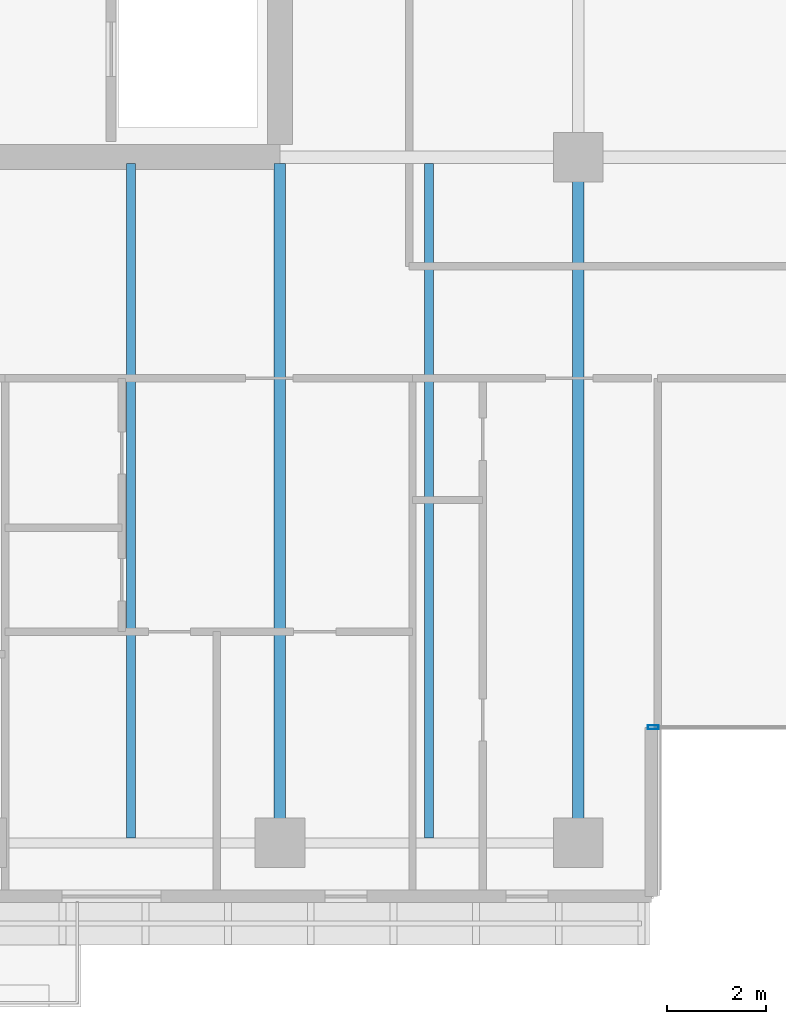
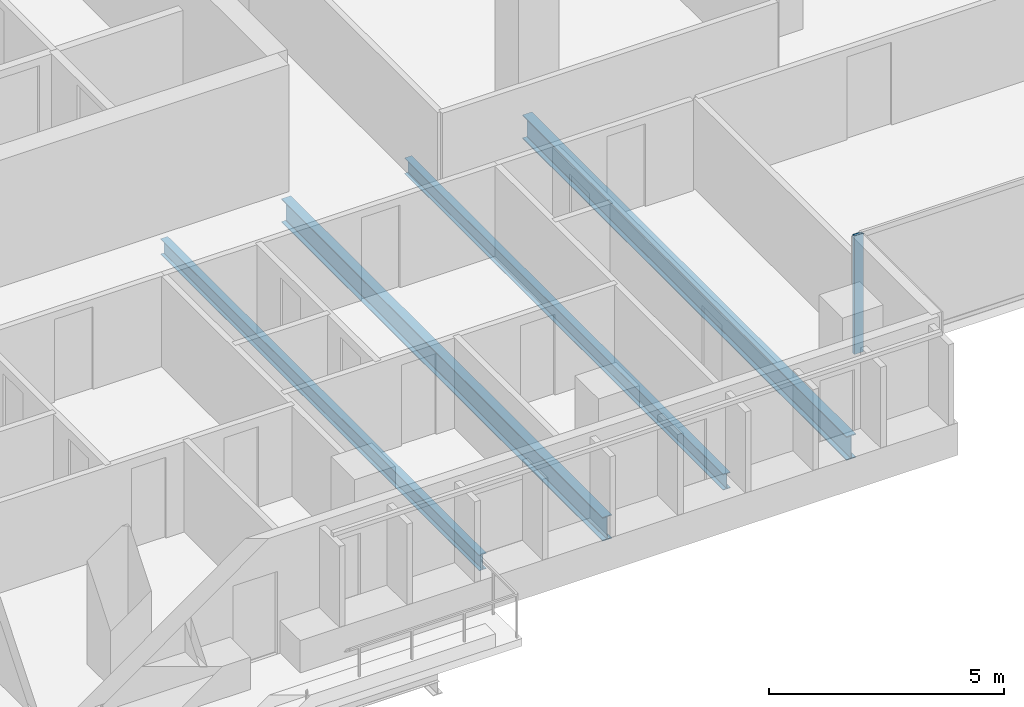
# One storey, part 4 of 33: 4 beams, 1 member, 1 element without a shape of its own.
"""IFC4 building model written with IfcOpenShell, lengths in metres."""

from ifc_helpers import new_model, si_unit, direction, frame, origin, origin_2d, place, context, subcontext, project, spatial, hollow_rectangle, i_section, extrude, material, layer, layer_set, material_profile, profile_set, type_object, element, aggregate, save


model = new_model("IFC4")

# Units and contexts
model_context = context("Model", 3, precision=1e-05, world=origin(), true_north=direction((0.0, 1.0)))
body_context = subcontext(model_context, "Body", "Model", "MODEL_VIEW")
ifc_project = project(units=[si_unit("LENGTHUNIT", "METRE"), si_unit("AREAUNIT", "SQUARE_METRE"), si_unit("VOLUMEUNIT", "CUBIC_METRE"), si_unit("PLANEANGLEUNIT", "RADIAN"), si_unit("MASSUNIT", "GRAM", prefix="KILO")], contexts=[model_context])

# Site, building, storey
site_placement = place(None, origin())
site = spatial("IfcSite", under=ifc_project, at=site_placement, CompositionType="ELEMENT")
building_placement = place(site_placement, origin())
building = spatial("IfcBuilding", under=site, at=building_placement, Name="Tanjung Sevakor Pilgrim Tower", CompositionType="ELEMENT")
storey_placement = place(building_placement, frame((0.0, 0.0, 95.3701171875)))
storey = spatial("IfcBuildingStorey", under=building, at=storey_placement, Name="L26", CompositionType="ELEMENT", Elevation=95.3701171875)

# Beams
ifc_material_1 = material(Name="Steel S355J2", Category="steel")
ifc_material_profile_1 = material_profile(ifc_material_1, i_section(OverallWidth=0.230224609375, OverallDepth=0.6171875, WebThickness=0.01318359375, FlangeThickness=0.022216796875, FilletRadius=0.0126953125, at=origin_2d()))
ifc_profile_set_1 = profile_set([ifc_material_profile_1], Name="Steel S355J2")
beam_type_1 = type_object("IfcBeamType", Name="BM-B-G3-UB_610x229x140", PredefinedType="BEAM", material=ifc_profile_set_1)
beam_1_placement = place(storey_placement, frame((36.0, 10.800048828125, -0.52880859375), z_axis=(0.0, 1.0, 0.0), x_axis=(-1.0, 0.0, 0.0)))
element("IfcBeam", 1, at=beam_1_placement, inside=storey, type_object=beam_type_1, Name="L26 MAIN Girder 005", PredefinedType="BEAM", context=body_context, shape_type="SweptSolid", body=[
    extrude(i_section(OverallWidth=0.230224609375, OverallDepth=0.6171875, WebThickness=0.01318359375, FlangeThickness=0.022216796875, FilletRadius=0.0126953125, at=origin_2d()), origin(), (0.0, 0.0, 1.0), 13.672607421875),
])
beam_2_placement = place(storey_placement, frame((42.0, 10.800048828125, -0.52880859375), z_axis=(0.0, 1.0, 0.0), x_axis=(-1.0, 0.0, 0.0)))
element("IfcBeam", 2, at=beam_2_placement, inside=storey, type_object=beam_type_1, Name="L26 MAIN Girder 009", PredefinedType="BEAM", context=body_context, shape_type="SweptSolid", body=[
    extrude(i_section(OverallWidth=0.230224609375, OverallDepth=0.6171875, WebThickness=0.01318359375, FlangeThickness=0.022216796875, FilletRadius=0.0126953125, at=origin_2d()), origin(), (0.0, 0.0, 1.0), 13.800048828125),
])
ifc_material_2 = material(Name="Steel S355J2", Category="steel")
ifc_material_profile_2 = material_profile(ifc_material_2, i_section(OverallWidth=0.1787109375, OverallDepth=0.409423828125, WebThickness=0.0087890625, FlangeThickness=0.014404296875, FilletRadius=0.01025390625, at=origin_2d()))
ifc_profile_set_2 = profile_set([ifc_material_profile_2], Name="Steel S355J2")
beam_type_2 = type_object("IfcBeamType", Name="BM-B-J3-UB_406x178x67", PredefinedType="JOIST", material=ifc_profile_set_2)
for number, where, z_axis, x_axis, name in (
    (3, (33.0, 10.89990234375, -0.4248046875), (0.0, 1.0, 0.0), (-1.0, 0.0, 0.0), "L26 MAIN Joist 003"),
    (4, (39.0, 10.89990234375, -0.4248046875), (0.0, 1.0, 0.0), (-1.0, 0.0, 0.0), "L26 MAIN Joist 007"),
):
    element("IfcBeam", number, at=place(storey_placement, frame(where, z_axis=z_axis, x_axis=x_axis)), inside=storey, type_object=beam_type_2, Name=name, PredefinedType="JOIST", context=body_context, shape_type="SweptSolid", body=[
        extrude(i_section(OverallWidth=0.1787109375, OverallDepth=0.409423828125, WebThickness=0.0087890625, FlangeThickness=0.014404296875, FilletRadius=0.01025390625, at=origin_2d()), origin(), (0.0, 0.0, 1.0), 13.57275390625),
    ])

# Curtain wall, member
ifc_material_3 = material(Name="Aluminium 6063-T6 and Low-E Glass", Category="aluminium")
ifc_layer = layer(ifc_material_3, 0.179931640625)
ifc_layer_set = layer_set([ifc_layer], Name="CW-SYS-CLEFT")
curtain_wall_type = type_object("IfcCurtainWallType", Name="CW-SYS-CLEFT", PredefinedType="NOTDEFINED", material=ifc_layer_set)
curtain_wall_placement = place(storey_placement, origin())
curtain_wall = element("IfcCurtainWall", 5, at=curtain_wall_placement, inside=storey, type_object=curtain_wall_type, Name="L26 Curtain Wall CW-CLF-L26-2", PredefinedType="NOTDEFINED")
ifc_material_4 = material(Name="Aluminium 6063-T6", Category="aluminium")
ifc_material_profile_3 = material_profile(ifc_material_4, hollow_rectangle(XDim=0.074951171875, YDim=0.219970703125, WallThickness=0.0048828125, at=origin_2d()))
ifc_profile_set_3 = profile_set([ifc_material_profile_3], Name="Aluminium 6063-T6")
member_type = type_object("IfcMemberType", Name="TYPE-CWM-2", PredefinedType="MULLION", material=ifc_profile_set_3)
member_placement = place(storey_placement, frame((43.512451171875, 13.125, 0.0), z_axis=(0.0, 0.0, 1.0), x_axis=(0.0, 1.0, 0.0)))
member = element("IfcMember", 6, at=member_placement, type_object=member_type, Name="CW-CLF mullion 1", PredefinedType="MULLION", context=body_context, shape_type="SweptSolid", body=[
    extrude(hollow_rectangle(XDim=0.074951171875, YDim=0.219970703125, WallThickness=0.0048828125, at=origin_2d()), origin(), (0.0, 0.0, 1.0), 3.079833984375),
])
aggregate(curtain_wall, [member])

save(model, "model.ifc")
